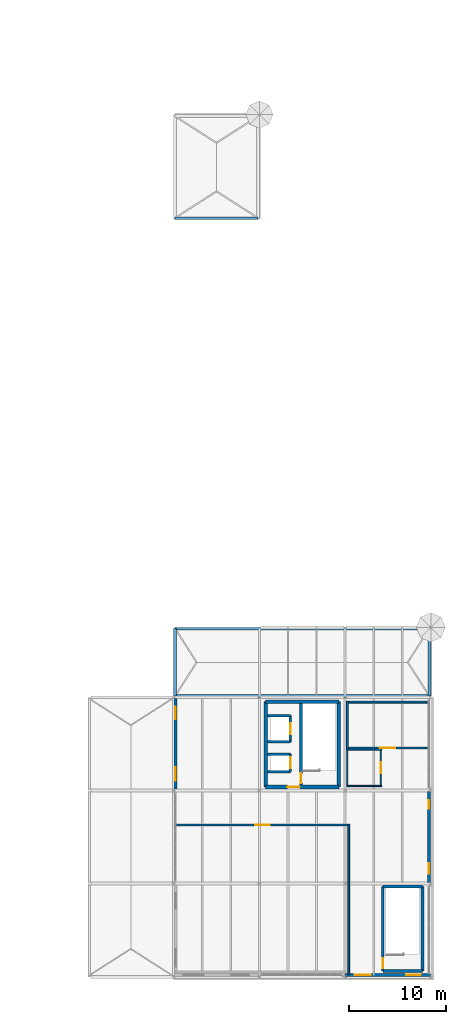
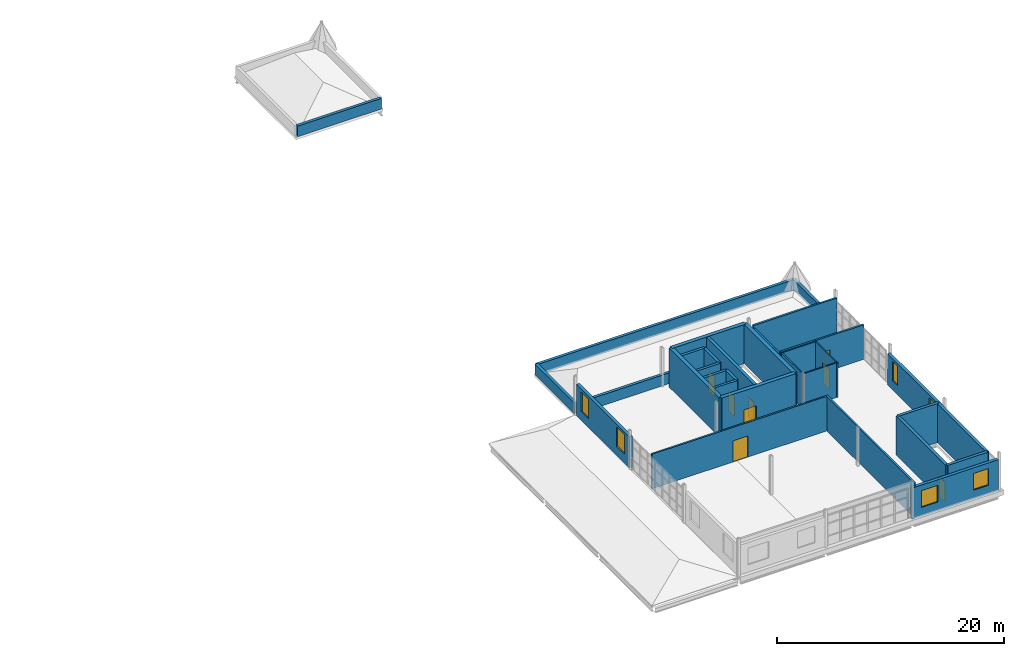
# One storey, part 24 of 28: 32 walls, 8 doors, 6 windows, 14 openings.
"""IFC4 building model written with IfcOpenShell, lengths in metres."""

import ifcopenshell
import ifcopenshell.guid

model = None  # the IFC model being written
_history = None  # IfcOwnerHistory: only IFC2X3 demands one
_inside = {}  # id of a spatial element -> (the spatial element, [elements in it])
_under = {}  # id of a project, library or spatial element -> (it, [spatial elements below it])
_declared = {}  # id of a project -> (the project, [libraries it declares])
_typed = {}  # id of a type object -> (the type object, [elements of that type])
_made_of = {}  # id of a material, layer set ... -> (it, [elements and type objects made of it])


def new_model(schema):
    """Start an empty IFC model of exactly this schema.

    Asked for "IFC4X3", IfcOpenShell would pick the latest addendum, in which some entities
    have other attributes; the version numbers below select the first issue.
    IFC2X3 requires an IfcOwnerHistory on every rooted entity: one is made here for all.
    """
    global model, _history
    if schema == "IFC4X3":
        model = ifcopenshell.file(schema_version=(4, 3, 0, 0))
    else:
        model = ifcopenshell.file(schema=schema)
    _inside.clear()
    _under.clear()
    _declared.clear()
    _typed.clear()
    _made_of.clear()
    _history = None
    if model.schema == "IFC2X3":
        org = make("IfcOrganization", Name="unknown")
        user = make(
            "IfcPersonAndOrganization",
            ThePerson=make("IfcPerson", FamilyName="unknown"),
            TheOrganization=org,
        )
        app = make(
            "IfcApplication",
            ApplicationDeveloper=org,
            Version="unknown",
            ApplicationFullName="unknown",
            ApplicationIdentifier="unknown",
        )
        _history = make(
            "IfcOwnerHistory",
            OwningUser=user,
            OwningApplication=app,
            ChangeAction="ADDED",
            CreationDate=0,
        )
    return model


def make(cls, **values):
    """One entity of the class cls with the attributes given. An attribute that is None is left unset."""
    return model.create_entity(
        cls, **{name: value for name, value in values.items() if value is not None}
    )


def rooted(cls, **values):
    """An entity with a GlobalId (a new one), such as an element, a storey or a relation."""
    return make(cls, GlobalId=ifcopenshell.guid.new(), OwnerHistory=_history, **values)


def si_unit(unit_type, name, prefix=None):
    """IfcSIUnit, for example si_unit("LENGTHUNIT", "METRE", prefix="MILLI")."""
    return make("IfcSIUnit", UnitType=unit_type, Prefix=prefix, Name=name)


def assignment(units):
    """IfcUnitAssignment: the units of a project."""
    return None if units is None else make("IfcUnitAssignment", Units=units)


def point(xyz):
    """IfcCartesianPoint."""
    return None if xyz is None else make("IfcCartesianPoint", Coordinates=xyz)


def direction(xyz):
    """IfcDirection."""
    return None if xyz is None else make("IfcDirection", DirectionRatios=xyz)


def frame(location, z_axis=None, x_axis=None):
    """IfcAxis2Placement3D, a coordinate frame: its origin and axes. An axis left out is left unset."""
    return make(
        "IfcAxis2Placement3D",
        Location=point(location),
        Axis=direction(z_axis),
        RefDirection=direction(x_axis),
    )


def frame_2d(location, x_axis=None):
    """IfcAxis2Placement2D, a coordinate frame in the plane: its origin and x axis."""
    return make(
        "IfcAxis2Placement2D", Location=point(location), RefDirection=direction(x_axis)
    )


def origin():
    """The frame at (0, 0, 0) with its axes left unset."""
    return frame((0.0, 0.0, 0.0))


def place(relative_to, where):
    """IfcLocalPlacement: puts the frame where relative to a parent placement (None: the world)."""
    return make(
        "IfcLocalPlacement", PlacementRelTo=relative_to, RelativePlacement=where
    )


def context(
    kind, dimensions, precision=None, world=None, true_north=None, identifier=None
):
    """IfcGeometricRepresentationContext, for example the 3D "Model" context."""
    return make(
        "IfcGeometricRepresentationContext",
        ContextIdentifier=identifier,
        ContextType=kind,
        CoordinateSpaceDimension=dimensions,
        Precision=precision,
        WorldCoordinateSystem=world,
        TrueNorth=true_north,
    )


def subcontext(parent, identifier, kind, view, scale=None):
    """IfcGeometricRepresentationSubContext, for example "Body" below "Model"."""
    return make(
        "IfcGeometricRepresentationSubContext",
        ContextIdentifier=identifier,
        ContextType=kind,
        ParentContext=parent,
        TargetScale=scale,
        TargetView=view,
    )


def project(units=None, contexts=None):
    """IfcProject with its units and contexts."""
    return rooted(
        "IfcProject",
        Name="project",
        RepresentationContexts=contexts,
        UnitsInContext=assignment(units),
    )


def spatial(cls, under=None, at=None, **own):
    """A site, building, storey or space (cls), placed at a placement, below another one or the project."""
    s = rooted(cls, ObjectPlacement=at, **own)
    if under is not None:
        _under.setdefault(under.id(), (under, []))[1].append(s)
    return s


def profile(cls, at=None, kind="AREA", **sizes):
    """A parametric profile (cls). Its sizes go by their IFC names, for example OverallWidth=200.0."""
    return make(cls, ProfileType=kind, Position=at, **sizes)


def rectangle(**sizes):
    """IfcRectangleProfileDef."""
    return profile("IfcRectangleProfileDef", **sizes)


def extrude(swept, where, along, depth):
    """IfcExtrudedAreaSolid: the profile swept, set in the frame where, extruded along a direction by depth."""
    return make(
        "IfcExtrudedAreaSolid",
        SweptArea=swept,
        Position=where,
        ExtrudedDirection=direction(along),
        Depth=depth,
    )


def shape(context_of_items, identifier, shape_type, items):
    """IfcShapeRepresentation: the items that make up one representation, for example the "Body"."""
    return make(
        "IfcShapeRepresentation",
        ContextOfItems=context_of_items,
        RepresentationIdentifier=identifier,
        RepresentationType=shape_type,
        Items=items,
    )


def material(Name=None, Category=None):
    """IfcMaterial."""
    return make("IfcMaterial", Name=Name, Category=Category)


def layer(
    of_material, thickness, ventilated=None, Name=None, Category=None, Priority=None
):
    """IfcMaterialLayer: one layer of a wall or slab, of a material (None: an air gap)."""
    return make(
        "IfcMaterialLayer",
        Material=of_material,
        LayerThickness=thickness,
        IsVentilated=ventilated,
        Name=Name,
        Category=Category,
        Priority=Priority,
    )


def layer_set(layers, Name=None):
    """IfcMaterialLayerSet."""
    return make("IfcMaterialLayerSet", MaterialLayers=layers, LayerSetName=Name)


def made_of(thing, what):
    """Note that an element or type object is made of a material, layer set ...; save() writes the relation."""
    if what is not None:
        _made_of.setdefault(what.id(), (what, []))[1].append(thing)
    return thing


def type_object(cls, material=None, **own):
    """A type object (cls), such as IfcWallType, which elements share."""
    return made_of(rooted(cls, **own), material)


def element(
    cls,
    number,
    at=None,
    inside=None,
    cuts=None,
    type_object=None,
    material=None,
    context=None,
    identifier="Body",
    shape_type=None,
    held_by="IfcProductDefinitionShape",
    body=None,
    shapes=None,
    **own,
):
    """One element of the class cls, such as IfcWall. Its Tag is "e" and its number.

    at: its placement. inside: the storey or other place that contains it. cuts: it is an
    opening in that element (IfcRelVoidsElement). A single representation is given by context,
    identifier, shape_type and body (its items); several are given by shapes. held_by: the class
    of the entity that holds the representations. save() writes the other relations.
    """
    e = rooted(cls, Tag="e%d" % number, ObjectPlacement=at, **own)
    if body is not None:
        shapes = [shape(context, identifier, shape_type, body)]
    if shapes is not None:
        e.Representation = make(held_by, Representations=shapes)
    if inside is not None:
        _inside.setdefault(inside.id(), (inside, []))[1].append(e)
    if cuts is not None:
        rooted(
            "IfcRelVoidsElement", RelatingBuildingElement=cuts, RelatedOpeningElement=e
        )
    if type_object is not None:
        _typed.setdefault(type_object.id(), (type_object, []))[1].append(e)
    return made_of(e, material)


def fill(opening, filler):
    """IfcRelFillsElement: the door or window that sits in an opening."""
    return rooted(
        "IfcRelFillsElement",
        RelatingOpeningElement=opening,
        RelatedBuildingElement=filler,
    )


def aggregate(whole, parts):
    """IfcRelAggregates: a whole, such as a stair, and the parts it consists of."""
    return rooted("IfcRelAggregates", RelatingObject=whole, RelatedObjects=parts)


def save(model, path):
    """Write the relations noted so far, then the file.

    IfcRelAggregates (storeys below a building ...), IfcRelContainedInSpatialStructure (elements
    in a storey), IfcRelDefinesByType, IfcRelAssociatesMaterial and IfcRelDeclares: one each for
    every whole, place, type object, material and project.
    """
    for whole, parts in _under.values():
        aggregate(whole, parts)
    for where, things in _inside.values():
        rooted(
            "IfcRelContainedInSpatialStructure",
            RelatedElements=things,
            RelatingStructure=where,
        )
    for kind, things in _typed.values():
        rooted("IfcRelDefinesByType", RelatedObjects=things, RelatingType=kind)
    for what, things in _made_of.values():
        rooted("IfcRelAssociatesMaterial", RelatedObjects=things, RelatingMaterial=what)
    for by, libraries in _declared.values():
        rooted("IfcRelDeclares", RelatingContext=by, RelatedDefinitions=libraries)
    model.write(path)


model = new_model("IFC4")

# Units and contexts
model_context = context("Model", 3, precision=1e-05, world=origin(), true_north=direction((0.0, 1.0)))
body_context = subcontext(model_context, "Body", "Model", "MODEL_VIEW")
ifc_project = project(units=[si_unit("LENGTHUNIT", "METRE"), si_unit("AREAUNIT", "SQUARE_METRE"), si_unit("VOLUMEUNIT", "CUBIC_METRE"), si_unit("PLANEANGLEUNIT", "RADIAN"), si_unit("MASSUNIT", "GRAM", prefix="KILO")], contexts=[model_context])

# Site, building, storey
site_placement = place(None, origin())
site = spatial("IfcSite", under=ifc_project, at=site_placement, CompositionType="ELEMENT")
building_placement = place(site_placement, origin())
building = spatial("IfcBuilding", under=site, at=building_placement, Name="Yeouljin Market Hall", CompositionType="ELEMENT")
storey_placement = place(building_placement, frame((0.0, 0.0, 15.0)))
storey = spatial("IfcBuildingStorey", under=building, at=storey_placement, Name="L03", CompositionType="ELEMENT", Elevation=15.0)

# Wall, opening, door
ifc_material_1 = material(Name="Gypsum Board Acoustic Partition")
ifc_layer_1 = layer(ifc_material_1, 0.169921875)
ifc_layer_set_1 = layer_set([ifc_layer_1], Name="Gypsum Board Acoustic Partition")
wall_type_1 = type_object("IfcWallType", Name="Part_Acoustic_170", PredefinedType="PARTITIONING", material=ifc_layer_set_1)
wall_1_placement = place(storey_placement, frame((168.030029296875, 15.64990234375, 0.0), z_axis=(0.0, 0.0, 1.0), x_axis=(-1.0, 0.0, 0.0)))
wall_1 = element("IfcWall", 1, at=wall_1_placement, inside=storey, type_object=wall_type_1, Name="Interior partition PART-L03-0167", PredefinedType="PARTITIONING", context=body_context, shape_type="SweptSolid", body=[
    extrude(rectangle(XDim=17.929931640625, YDim=0.169921875, at=frame_2d((8.96484375, 0.0))), origin(), (0.0, 0.0, 1.0), 3.719970703125),
])
opening_1_placement = place(wall_1_placement, frame((8.205078125, 0.0, 0.0)))
opening_1 = element("IfcOpeningElement", 2, at=opening_1_placement, cuts=wall_1, Name="Opening D-L03-052", PredefinedType="OPENING", context=body_context, shape_type="SweptSolid", body=[
    extrude(rectangle(XDim=1.52001953125, YDim=2.280029296875, at=frame_2d((0.760009765625, 1.14013671875))), frame((0.0, 0.094970703125, 0.0), z_axis=(0.0, -1.0, 0.0), x_axis=(1.0, 0.0, 0.0)), (0.0, 0.0, 1.0), 0.18994140625),
])
ifc_material_2 = material(Name="Acoustic Timber Veneer", Category="wood")
door_type_1 = type_object("IfcDoorType", Name="DT-ID152H", OperationType="NOTDEFINED", PredefinedType="DOOR", material=ifc_material_2)
door_1_placement = place(opening_1_placement, origin())
door_1 = element("IfcDoor", 3, at=door_1_placement, inside=storey, type_object=door_type_1, Name="Interior door D-L03-052 (Guild Tasting Salon)", OperationType="SINGLE_SWING_RIGHT", OverallHeight=2.280029296875, OverallWidth=1.52001953125, PredefinedType="DOOR", context=body_context, shape_type="SweptSolid", body=[
    extrude(rectangle(XDim=1.52001953125, YDim=2.280029296875, at=frame_2d((0.760009765625, 1.14013671875))), frame((0.0, 0.02490234375, 0.0), z_axis=(0.0, -1.0, 0.0), x_axis=(1.0, 0.0, 0.0)), (0.0, 0.0, 1.0), 0.050048828125),
])
fill(opening_1, door_1)

# Wall
wall_2_placement = place(storey_placement, frame((167.949951171875, 0.199951171875, 0.0), z_axis=(0.0, 0.0, 1.0), x_axis=(0.0, 1.0, 0.0)))
element("IfcWall", 4, at=wall_2_placement, inside=storey, type_object=wall_type_1, Name="Interior partition PART-L03-0168", PredefinedType="PARTITIONING", context=body_context, shape_type="SweptSolid", body=[
    extrude(rectangle(XDim=15.530029296875, YDim=0.169921875, at=frame_2d((7.76513671875, 0.0))), origin(), (0.0, 0.0, 1.0), 3.719970703125),
])

# Wall, opening, door
ifc_material_3 = material(Name="Ceramic-Faced Acoustic Partition")
ifc_layer_2 = layer(ifc_material_3, 0.18994140625)
ifc_layer_set_2 = layer_set([ifc_layer_2], Name="Ceramic-Faced Acoustic Partition")
wall_type_2 = type_object("IfcWallType", Name="Part_KitchenTile_190", PredefinedType="PARTITIONING", material=ifc_layer_set_2)
wall_3_placement = place(storey_placement, frame((167.719970703125, 23.56005859375, 0.0), z_axis=(0.0, 0.0, 1.0), x_axis=(1.0, 0.0, 0.0)))
wall_3 = element("IfcWall", 5, at=wall_3_placement, inside=storey, type_object=wall_type_2, Name="Interior partition PART-L03-0170", PredefinedType="PARTITIONING", context=body_context, shape_type="SweptSolid", body=[
    extrude(rectangle(XDim=8.47998046875, YDim=0.18994140625, at=frame_2d((4.239990234375, 0.0))), origin(), (0.0, 0.0, 1.0), 3.719970703125),
])
opening_2_placement = place(wall_3_placement, frame((3.43994140625, 0.0, 0.0)))
opening_2 = element("IfcOpeningElement", 6, at=opening_2_placement, cuts=wall_3, Name="Opening D-L03-053", PredefinedType="OPENING", context=body_context, shape_type="SweptSolid", body=[
    extrude(rectangle(XDim=1.60009765625, YDim=2.199951171875, at=frame_2d((0.800048828125, 1.10009765625))), frame((0.0, 0.10498046875, 0.0), z_axis=(0.0, -1.0, 0.0), x_axis=(1.0, 0.0, 0.0)), (0.0, 0.0, 1.0), 0.2099609375),
])
ifc_material_4 = material(Name="Painted Fire-Rated Steel", Category="steel")
door_type_2 = type_object("IfcDoorType", Name="DT-FD160", OperationType="NOTDEFINED", PredefinedType="DOOR", material=ifc_material_4)
door_2_placement = place(opening_2_placement, origin())
door_2 = element("IfcDoor", 7, at=door_2_placement, inside=storey, type_object=door_type_2, Name="Interior door D-L03-053 (Tasting Salon Service Kitchen)", OperationType="SINGLE_SWING_LEFT", OverallHeight=2.199951171875, OverallWidth=1.60009765625, PredefinedType="DOOR", context=body_context, shape_type="SweptSolid", body=[
    extrude(rectangle(XDim=1.60009765625, YDim=2.199951171875, at=frame_2d((0.800048828125, 1.10009765625))), frame((0.0, 0.02490234375, 0.0), z_axis=(0.0, -1.0, 0.0), x_axis=(1.0, 0.0, 0.0)), (0.0, 0.0, 1.0), 0.050048828125),
])
fill(opening_2, door_2)

# Walls
wall_4_placement = place(storey_placement, frame((167.800048828125, 28.3798828125, 0.0), z_axis=(0.0, 0.0, 1.0), x_axis=(0.0, -1.0, 0.0)))
element("IfcWall", 8, at=wall_4_placement, inside=storey, type_object=wall_type_2, Name="Interior partition PART-L03-0171", PredefinedType="PARTITIONING", context=body_context, shape_type="SweptSolid", body=[
    extrude(rectangle(XDim=4.97998046875, YDim=0.18994140625, at=frame_2d((2.489990234375, 0.0))), origin(), (0.0, 0.0, 1.0), 3.39990234375),
])
wall_5_placement = place(storey_placement, frame((176.199951171875, 28.300048828125, 0.0), z_axis=(0.0, 0.0, 1.0), x_axis=(-1.0, 0.0, 0.0)))
element("IfcWall", 9, at=wall_5_placement, inside=storey, type_object=wall_type_2, Name="Interior partition PART-L03-0172", PredefinedType="PARTITIONING", context=body_context, shape_type="SweptSolid", body=[
    extrude(rectangle(XDim=8.47998046875, YDim=0.18994140625, at=frame_2d((4.239990234375, 0.0))), origin(), (0.0, 0.0, 1.0), 3.719970703125),
])

# Wall, opening, door
ifc_material_5 = material(Name="Moisture-Resistant Gypsum Partition")
ifc_layer_3 = layer(ifc_material_5, 0.1298828125)
ifc_layer_set_3 = layer_set([ifc_layer_3], Name="Moisture-Resistant Gypsum Partition")
wall_type_3 = type_object("IfcWallType", Name="Part_Sanitary_130", PredefinedType="PARTITIONING", material=ifc_layer_set_3)
wall_6_placement = place(storey_placement, frame((171.25, 19.570068359375, 0.0), z_axis=(0.0, 0.0, 1.0), x_axis=(0.0, 1.0, 0.0)))
wall_6 = element("IfcWall", 10, at=wall_6_placement, inside=storey, type_object=wall_type_3, Name="Interior partition PART-L03-0152", PredefinedType="PARTITIONING", context=body_context, shape_type="SweptSolid", body=[
    extrude(rectangle(XDim=3.909912109375, YDim=0.1298828125, at=frame_2d((1.955078125, 0.0))), origin(), (0.0, 0.0, 1.0), 3.719970703125),
])
opening_3_placement = place(wall_6_placement, frame((1.385009765625, 0.0, 0.0)))
opening_3 = element("IfcOpeningElement", 11, at=opening_3_placement, cuts=wall_6, Name="Opening D-L03-047", PredefinedType="OPENING", context=body_context, shape_type="SweptSolid", body=[
    extrude(rectangle(XDim=1.139892578125, YDim=2.219970703125, at=frame_2d((0.56982421875, 1.10986328125))), frame((0.0, 0.074951171875, 0.0), z_axis=(0.0, -1.0, 0.0), x_axis=(1.0, 0.0, 0.0)), (0.0, 0.0, 1.0), 0.14990234375),
])
ifc_material_6 = material(Name="Acoustic Timber Veneer", Category="wood")
door_type_3 = type_object("IfcDoorType", Name="DT-ID114H", OperationType="NOTDEFINED", PredefinedType="DOOR", material=ifc_material_6)
door_3_placement = place(opening_3_placement, origin())
door_3 = element("IfcDoor", 12, at=door_3_placement, inside=storey, type_object=door_type_3, Name="Interior door D-L03-047 (East Accessible WC)", OperationType="SINGLE_SWING_LEFT", OverallHeight=2.219970703125, OverallWidth=1.139892578125, PredefinedType="DOOR", context=body_context, shape_type="SweptSolid", body=[
    extrude(rectangle(XDim=1.139892578125, YDim=2.219970703125, at=frame_2d((0.56982421875, 1.10986328125))), frame((0.0, 0.02490234375, 0.0), z_axis=(0.0, -1.0, 0.0), x_axis=(1.0, 0.0, 0.0)), (0.0, 0.0, 1.0), 0.050048828125),
])
fill(opening_3, door_3)

# Walls
for number, where, z_axis, x_axis, name in (
    (13, (167.719970703125, 19.64990234375, 0.0), (0.0, 0.0, 1.0), (1.0, 0.0, 0.0), "Interior partition PART-L03-0153"),
    (14, (171.330078125, 23.39990234375, 0.0), (0.0, 0.0, 1.0), (-1.0, 0.0, 0.0), "Interior partition PART-L03-0154"),
):
    element("IfcWall", number, at=place(storey_placement, frame(where, z_axis=z_axis, x_axis=x_axis)), inside=storey, type_object=wall_type_3, Name=name, PredefinedType="PARTITIONING", context=body_context, shape_type="SweptSolid", body=[
        extrude(rectangle(XDim=3.610107421875, YDim=0.1298828125, at=frame_2d((1.80517578125, 0.0))), origin(), (0.0, 0.0, 1.0), 3.719970703125),
    ])
wall_7_placement = place(storey_placement, frame((167.800048828125, 23.47998046875, 0.0), z_axis=(0.0, 0.0, 1.0), x_axis=(0.0, -1.0, 0.0)))
element("IfcWall", 15, at=wall_7_placement, inside=storey, type_object=wall_type_3, Name="Interior partition PART-L03-0155", PredefinedType="PARTITIONING", context=body_context, shape_type="SweptSolid", body=[
    extrude(rectangle(XDim=3.909912109375, YDim=0.1298828125, at=frame_2d((1.955078125, 0.0))), origin(), (0.0, 0.0, 1.0), 3.719970703125),
])

# Wall, opening, door
ifc_material_7 = material(Name="Concrete C35/45", Category="concrete")
ifc_layer_4 = layer(ifc_material_7, 0.260009765625)
ifc_layer_set_4 = layer_set([ifc_layer_4], Name="Concrete C35/45")
wall_type_4 = type_object("IfcWallType", Name="Wall_Compartment_260", PredefinedType="SHEAR", material=ifc_layer_set_4)
wall_8_placement = place(storey_placement, frame((161.945068359375, 21.14990234375, 0.0), z_axis=(0.0, 0.0, 1.0), x_axis=(0.0, 1.0, 0.0)))
wall_8 = element("IfcWall", 16, at=wall_8_placement, inside=storey, type_object=wall_type_4, Name="Lift LP-03 hoistway front wall (L03)", PredefinedType="SHEAR", context=body_context, shape_type="SweptSolid", body=[
    extrude(rectangle(XDim=1.800048828125, YDim=0.260009765625, at=frame_2d((0.89990234375, 0.0))), origin(), (0.0, 0.0, 1.0), 4.199951171875),
])
opening_4_placement = place(wall_8_placement, frame((0.35009765625, 0.0, 0.0)))
opening_4 = element("IfcOpeningElement", 17, at=opening_4_placement, cuts=wall_8, Name="Opening LD-LP-03-L03", PredefinedType="OPENING", context=body_context, shape_type="SweptSolid", body=[
    extrude(rectangle(XDim=1.10009765625, YDim=2.14990234375, at=frame_2d((0.550048828125, 1.074951171875))), frame((0.0, 0.139892578125, 0.0), z_axis=(0.0, -1.0, 0.0), x_axis=(1.0, 0.0, 0.0)), (0.0, 0.0, 1.0), 0.280029296875),
])
ifc_material_8 = material(Name="Brushed Stainless Steel", Category="steel")
door_type_4 = type_object("IfcDoorType", Name="LD-110", OperationType="SLIDING_TO_LEFT", PredefinedType="DOOR", material=ifc_material_8)
door_4_placement = place(opening_4_placement, origin())
door_4 = element("IfcDoor", 18, at=door_4_placement, inside=storey, type_object=door_type_4, Name="Lift landing sliding door LD-LP-03-L03", OperationType="SLIDING_TO_LEFT", OverallHeight=2.14990234375, OverallWidth=1.10009765625, PredefinedType="DOOR", context=body_context, shape_type="SweptSolid", body=[
    extrude(rectangle(XDim=1.10009765625, YDim=2.14990234375, at=frame_2d((0.550048828125, 1.074951171875))), frame((0.0, 0.02490234375, 0.0), z_axis=(0.0, -1.0, 0.0), x_axis=(1.0, 0.0, 0.0)), (0.0, 0.0, 1.0), 0.050048828125),
])
fill(opening_4, door_4)

# Walls
for number, where, z_axis, x_axis, name in (
    (19, (159.590087890625, 21.14990234375, 0.0), (0.0, 0.0, 1.0), (1.0, 0.0, 0.0), "Lift LP-03 shaft cheek wall S (L03)"),
    (20, (159.590087890625, 22.949951171875, 0.0), (0.0, 0.0, 1.0), (1.0, 0.0, 0.0), "Lift LP-03 shaft cheek wall N (L03)"),
):
    element("IfcWall", number, at=place(storey_placement, frame(where, z_axis=z_axis, x_axis=x_axis)), inside=storey, type_object=wall_type_4, Name=name, PredefinedType="SHEAR", context=body_context, shape_type="SweptSolid", body=[
        extrude(rectangle(XDim=2.35498046875, YDim=0.260009765625, at=frame_2d((1.177490234375, 0.0))), origin(), (0.0, 0.0, 1.0), 4.199951171875),
    ])

# Wall, opening, door
wall_9_placement = place(storey_placement, frame((161.945068359375, 24.199951171875, 0.0), z_axis=(0.0, 0.0, 1.0), x_axis=(0.0, 1.0, 0.0)))
wall_9 = element("IfcWall", 21, at=wall_9_placement, inside=storey, type_object=wall_type_4, Name="Lift LS-02 hoistway front wall (L03)", PredefinedType="SHEAR", context=body_context, shape_type="SweptSolid", body=[
    extrude(rectangle(XDim=2.699951171875, YDim=0.260009765625, at=frame_2d((1.35009765625, 0.0))), origin(), (0.0, 0.0, 1.0), 4.199951171875),
])
opening_5_placement = place(wall_9_placement, frame((0.800048828125, 0.0, 0.0)))
opening_5 = element("IfcOpeningElement", 22, at=opening_5_placement, cuts=wall_9, Name="Opening LD-LS-02-L03", PredefinedType="OPENING", context=body_context, shape_type="SweptSolid", body=[
    extrude(rectangle(XDim=1.10009765625, YDim=2.14990234375, at=frame_2d((0.550048828125, 1.074951171875))), frame((0.0, 0.139892578125, 0.0), z_axis=(0.0, -1.0, 0.0), x_axis=(1.0, 0.0, 0.0)), (0.0, 0.0, 1.0), 0.280029296875),
])
door_5_placement = place(opening_5_placement, origin())
door_5 = element("IfcDoor", 23, at=door_5_placement, inside=storey, type_object=door_type_4, Name="Lift landing sliding door LD-LS-02-L03", OperationType="SLIDING_TO_RIGHT", OverallHeight=2.14990234375, OverallWidth=1.10009765625, PredefinedType="DOOR", context=body_context, shape_type="SweptSolid", body=[
    extrude(rectangle(XDim=1.10009765625, YDim=2.14990234375, at=frame_2d((0.550048828125, 1.074951171875))), frame((0.0, 0.02490234375, 0.0), z_axis=(0.0, -1.0, 0.0), x_axis=(1.0, 0.0, 0.0)), (0.0, 0.0, 1.0), 0.050048828125),
])
fill(opening_5, door_5)

# Walls
for number, where, z_axis, x_axis, name in (
    (24, (159.590087890625, 24.199951171875, 0.0), (0.0, 0.0, 1.0), (1.0, 0.0, 0.0), "Lift LS-02 shaft cheek wall S (L03)"),
    (25, (159.590087890625, 26.89990234375, 0.0), (0.0, 0.0, 1.0), (1.0, 0.0, 0.0), "Lift LS-02 shaft cheek wall N (L03)"),
):
    element("IfcWall", number, at=place(storey_placement, frame(where, z_axis=z_axis, x_axis=x_axis)), inside=storey, type_object=wall_type_4, Name=name, PredefinedType="SHEAR", context=body_context, shape_type="SweptSolid", body=[
        extrude(rectangle(XDim=2.35498046875, YDim=0.260009765625, at=frame_2d((1.177490234375, 0.0))), origin(), (0.0, 0.0, 1.0), 4.199951171875),
    ])

# Wall, opening, door
ifc_material_9 = material(Name="Concrete C35/45", Category="concrete")
ifc_layer_5 = layer(ifc_material_9, 0.3798828125)
ifc_layer_set_5 = layer_set([ifc_layer_5], Name="Concrete C35/45")
wall_type_5 = type_object("IfcWallType", Name="Wall_CoreShear_380", PredefinedType="SHEAR", material=ifc_layer_set_5)
wall_10_placement = place(storey_placement, frame((159.389892578125, 19.550048828125, 0.0), z_axis=(0.0, 0.0, 1.0), x_axis=(1.0, 0.0, 0.0)))
wall_10 = element("IfcWall", 26, at=wall_10_placement, inside=storey, type_object=wall_type_5, Name="Core C3 south shear wall (L03)", PredefinedType="SHEAR", context=body_context, shape_type="SweptSolid", body=[
    extrude(rectangle(XDim=7.530029296875, YDim=0.3798828125, at=frame_2d((3.76513671875, 0.0))), origin(), (0.0, 0.0, 1.0), 4.199951171875),
])
opening_6_placement = place(wall_10_placement, frame((2.22998046875, 0.0, 0.0)))
opening_6 = element("IfcOpeningElement", 27, at=opening_6_placement, cuts=wall_10, Name="Opening FD-C3-L03-01", PredefinedType="OPENING", context=body_context, shape_type="SweptSolid", body=[
    extrude(rectangle(XDim=1.280029296875, YDim=2.14990234375, at=frame_2d((0.64013671875, 1.074951171875))), frame((0.0, 0.199951171875, 0.0), z_axis=(0.0, -1.0, 0.0), x_axis=(1.0, 0.0, 0.0)), (0.0, 0.0, 1.0), 0.39990234375),
])
ifc_material_10 = material(Name="Painted Fire-Rated Steel", Category="steel")
door_type_5 = type_object("IfcDoorType", Name="DT-FD128", OperationType="NOTDEFINED", PredefinedType="DOOR", material=ifc_material_10)
door_6_placement = place(opening_6_placement, origin())
door_6 = element("IfcDoor", 28, at=door_6_placement, inside=storey, type_object=door_type_5, Name="Core C3 lobby fire door (L03)", OperationType="SINGLE_SWING_LEFT", OverallHeight=2.14990234375, OverallWidth=1.280029296875, PredefinedType="DOOR", context=body_context, shape_type="SweptSolid", body=[
    extrude(rectangle(XDim=1.280029296875, YDim=2.14990234375, at=frame_2d((0.64013671875, 1.074951171875))), frame((0.0, 0.02490234375, 0.0), z_axis=(0.0, -1.0, 0.0), x_axis=(1.0, 0.0, 0.0)), (0.0, 0.0, 1.0), 0.050048828125),
])
fill(opening_6, door_6)

# Walls
wall_11_placement = place(storey_placement, frame((166.919921875, 28.35009765625, 0.0), z_axis=(0.0, 0.0, 1.0), x_axis=(-1.0, 0.0, 0.0)))
element("IfcWall", 29, at=wall_11_placement, inside=storey, type_object=wall_type_5, Name="Core C3 north shear wall (L03)", PredefinedType="SHEAR", context=body_context, shape_type="SweptSolid", body=[
    extrude(rectangle(XDim=7.530029296875, YDim=0.3798828125, at=frame_2d((3.76513671875, 0.0))), origin(), (0.0, 0.0, 1.0), 4.199951171875),
])
for number, where, z_axis, x_axis, name in (
    (30, (159.389892578125, 28.35009765625, 0.0), (0.0, 0.0, 1.0), (0.0, -1.0, 0.0), "Core C3 west shear wall (L03)"),
    (31, (166.919921875, 19.550048828125, 0.0), (0.0, 0.0, 1.0), (0.0, 1.0, 0.0), "Core C3 east shear wall (L03)"),
):
    element("IfcWall", number, at=place(storey_placement, frame(where, z_axis=z_axis, x_axis=x_axis)), inside=storey, type_object=wall_type_5, Name=name, PredefinedType="SHEAR", context=body_context, shape_type="SweptSolid", body=[
        extrude(rectangle(XDim=8.800048828125, YDim=0.3798828125, at=frame_2d((4.39990234375, 0.0))), origin(), (0.0, 0.0, 1.0), 4.199951171875),
    ])

# Wall, openings, windows
ifc_material_11 = material(Name="Clinker Brick Masonry F2-S2", Category="masonry")
ifc_layer_6 = layer(ifc_material_11, 0.31005859375)
ifc_layer_set_6 = layer_set([ifc_layer_6], Name="Clinker Brick Masonry F2-S2")
wall_type_6 = type_object("IfcWallType", Name="Wall_Ext_ClinkerSawtooth_310", PredefinedType="SOLIDWALL", material=ifc_layer_set_6)
wall_12_placement = place(storey_placement, frame((176.387939453125, 0.199951171875, 0.0), z_axis=(0.0, 0.0, 1.0), x_axis=(-1.0, 0.0, 0.0)))
wall_12 = element("IfcWall", 32, at=wall_12_placement, inside=storey, type_object=wall_type_6, Name="Exterior wall WE-L03-B10", PredefinedType="SOLIDWALL", context=body_context, shape_type="SweptSolid", body=[
    extrude(rectangle(XDim=8.805908203125, YDim=0.31005859375, at=frame_2d((4.40283203125, 0.0))), origin(), (0.0, 0.0, 1.0), 3.35009765625),
])
opening_7_placement = place(wall_12_placement, frame((1.0380859375, 0.0, 0.949951171875)))
opening_7 = element("IfcOpeningElement", 33, at=opening_7_placement, cuts=wall_12, Name="Opening WN-05", PredefinedType="OPENING", context=body_context, shape_type="SweptSolid", body=[
    extrude(rectangle(XDim=1.5, YDim=1.800048828125, at=frame_2d((0.75, 0.89990234375))), frame((0.0, 0.1650390625, 0.0), z_axis=(0.0, -1.0, 0.0), x_axis=(1.0, 0.0, 0.0)), (0.0, 0.0, 1.0), 0.330078125),
])
opening_8_placement = place(wall_12_placement, frame((6.18798828125, 0.0, 0.949951171875)))
opening_8 = element("IfcOpeningElement", 34, at=opening_8_placement, cuts=wall_12, Name="Opening WN-06", PredefinedType="OPENING", context=body_context, shape_type="SweptSolid", body=[
    extrude(rectangle(XDim=1.64990234375, YDim=1.800048828125, at=frame_2d((0.824951171875, 0.89990234375))), frame((0.0, 0.1650390625, 0.0), z_axis=(0.0, -1.0, 0.0), x_axis=(1.0, 0.0, 0.0)), (0.0, 0.0, 1.0), 0.330078125),
])
ifc_material_12 = material(Name="Low-E Insulated Glass", Category="glass")
window_type_1 = type_object("IfcWindowType", Name="Win_Ladder_1500x1800", PartitioningType="DOUBLE_PANEL_HORIZONTAL", PredefinedType="WINDOW", material=ifc_material_12)
window_1_placement = place(opening_7_placement, origin())
window_1 = element("IfcWindow", 35, at=window_1_placement, inside=storey, type_object=window_type_1, Name="Exterior window WIN-L03-B10A", OverallHeight=1.800048828125, OverallWidth=1.5, PartitioningType="SINGLE_PANEL", PredefinedType="WINDOW", context=body_context, shape_type="SweptSolid", body=[
    extrude(rectangle(XDim=1.5, YDim=1.800048828125, at=frame_2d((0.75, 0.89990234375))), frame((0.0, 0.030029296875, 0.0), z_axis=(0.0, -1.0, 0.0), x_axis=(1.0, 0.0, 0.0)), (0.0, 0.0, 1.0), 0.06005859375),
])
fill(opening_7, window_1)
ifc_material_13 = material(Name="Low-E Insulated Glass", Category="glass")
window_type_2 = type_object("IfcWindowType", Name="Win_Ladder_1650x1800", PartitioningType="DOUBLE_PANEL_HORIZONTAL", PredefinedType="WINDOW", material=ifc_material_13)
window_2_placement = place(opening_8_placement, origin())
window_2 = element("IfcWindow", 36, at=window_2_placement, inside=storey, type_object=window_type_2, Name="Exterior window WIN-L03-B10B", OverallHeight=1.800048828125, OverallWidth=1.64990234375, PartitioningType="SINGLE_PANEL", PredefinedType="WINDOW", context=body_context, shape_type="SweptSolid", body=[
    extrude(rectangle(XDim=1.64990234375, YDim=1.800048828125, at=frame_2d((0.824951171875, 0.89990234375))), frame((0.0, 0.030029296875, 0.0), z_axis=(0.0, -1.0, 0.0), x_axis=(1.0, 0.0, 0.0)), (0.0, 0.0, 1.0), 0.06005859375),
])
fill(opening_8, window_2)

wall_13_placement = place(storey_placement, frame((176.199951171875, 19.068115234375, 0.0), z_axis=(0.0, 0.0, 1.0), x_axis=(0.0, -1.0, 0.0)))
wall_13 = element("IfcWall", 37, at=wall_13_placement, inside=storey, type_object=wall_type_6, Name="Exterior wall WE-L03-B14", PredefinedType="SOLIDWALL", context=body_context, shape_type="SweptSolid", body=[
    extrude(rectangle(XDim=9.336181640625, YDim=0.31005859375, at=frame_2d((4.66796875, 0.0))), origin(), (0.0, 0.0, 1.0), 3.35009765625),
])
opening_9_placement = place(wall_13_placement, frame((0.867919921875, 0.0, 0.949951171875)))
opening_9 = element("IfcOpeningElement", 38, at=opening_9_placement, cuts=wall_13, Name="Opening WN-11", PredefinedType="OPENING", context=body_context, shape_type="SweptSolid", body=[
    extrude(rectangle(XDim=0.89990234375, YDim=2.10009765625, at=frame_2d((0.449951171875, 1.050048828125))), frame((0.0, 0.1650390625, 0.0), z_axis=(0.0, -1.0, 0.0), x_axis=(1.0, 0.0, 0.0)), (0.0, 0.0, 1.0), 0.330078125),
])
opening_10_placement = place(wall_13_placement, frame((7.367919921875, 0.0, 0.949951171875)))
opening_10 = element("IfcOpeningElement", 39, at=opening_10_placement, cuts=wall_13, Name="Opening WN-12", PredefinedType="OPENING", context=body_context, shape_type="SweptSolid", body=[
    extrude(rectangle(XDim=1.10009765625, YDim=2.10009765625, at=frame_2d((0.550048828125, 1.050048828125))), frame((0.0, 0.1650390625, 0.0), z_axis=(0.0, -1.0, 0.0), x_axis=(1.0, 0.0, 0.0)), (0.0, 0.0, 1.0), 0.330078125),
])
ifc_material_14 = material(Name="Low-E Insulated Glass", Category="glass")
window_type_3 = type_object("IfcWindowType", Name="Win_Ladder_1100x2100", PartitioningType="DOUBLE_PANEL_HORIZONTAL", PredefinedType="WINDOW", material=ifc_material_14)
window_3_placement = place(opening_10_placement, origin())
window_3 = element("IfcWindow", 40, at=window_3_placement, inside=storey, type_object=window_type_3, Name="Exterior window WIN-L03-B14B", OverallHeight=2.10009765625, OverallWidth=1.10009765625, PartitioningType="SINGLE_PANEL", PredefinedType="WINDOW", context=body_context, shape_type="SweptSolid", body=[
    extrude(rectangle(XDim=1.10009765625, YDim=2.10009765625, at=frame_2d((0.550048828125, 1.050048828125))), frame((0.0, 0.030029296875, 0.0), z_axis=(0.0, -1.0, 0.0), x_axis=(1.0, 0.0, 0.0)), (0.0, 0.0, 1.0), 0.06005859375),
])
fill(opening_10, window_3)
ifc_material_15 = material(Name="Low-E Insulated Glass", Category="glass")
window_type_4 = type_object("IfcWindowType", Name="Win_Ladder_900x2100", PartitioningType="DOUBLE_PANEL_HORIZONTAL", PredefinedType="WINDOW", material=ifc_material_15)
window_4_placement = place(opening_9_placement, origin())
window_4 = element("IfcWindow", 41, at=window_4_placement, inside=storey, type_object=window_type_4, Name="Exterior window WIN-L03-B14A", OverallHeight=2.10009765625, OverallWidth=0.89990234375, PartitioningType="SINGLE_PANEL", PredefinedType="WINDOW", context=body_context, shape_type="SweptSolid", body=[
    extrude(rectangle(XDim=0.89990234375, YDim=2.10009765625, at=frame_2d((0.449951171875, 1.050048828125))), frame((0.0, 0.030029296875, 0.0), z_axis=(0.0, -1.0, 0.0), x_axis=(1.0, 0.0, 0.0)), (0.0, 0.0, 1.0), 0.06005859375),
])
fill(opening_9, window_4)

wall_14_placement = place(storey_placement, frame((150.10009765625, 28.66796875, 0.0), z_axis=(0.0, 0.0, 1.0), x_axis=(0.0, -1.0, 0.0)))
wall_14 = element("IfcWall", 42, at=wall_14_placement, inside=storey, type_object=wall_type_6, Name="Exterior wall WE-L03-B16", PredefinedType="SOLIDWALL", context=body_context, shape_type="SweptSolid", body=[
    extrude(rectangle(XDim=9.3359375, YDim=0.31005859375, at=frame_2d((4.66796875, 0.0))), origin(), (0.0, 0.0, 1.0), 3.35009765625),
])
opening_11_placement = place(wall_14_placement, frame((0.867919921875, 0.0, 0.949951171875)))
opening_11 = element("IfcOpeningElement", 43, at=opening_11_placement, cuts=wall_14, Name="Opening WN-13", PredefinedType="OPENING", context=body_context, shape_type="SweptSolid", body=[
    extrude(rectangle(XDim=1.25, YDim=2.10009765625, at=frame_2d((0.625, 1.050048828125))), frame((0.0, 0.1650390625, 0.0), z_axis=(0.0, -1.0, 0.0), x_axis=(1.0, 0.0, 0.0)), (0.0, 0.0, 1.0), 0.330078125),
])
opening_12_placement = place(wall_14_placement, frame((7.068115234375, 0.0, 0.949951171875)))
opening_12 = element("IfcOpeningElement", 44, at=opening_12_placement, cuts=wall_14, Name="Opening WN-14", PredefinedType="OPENING", context=body_context, shape_type="SweptSolid", body=[
    extrude(rectangle(XDim=1.39990234375, YDim=2.10009765625, at=frame_2d((0.699951171875, 1.050048828125))), frame((0.0, 0.1650390625, 0.0), z_axis=(0.0, -1.0, 0.0), x_axis=(1.0, 0.0, 0.0)), (0.0, 0.0, 1.0), 0.330078125),
])
ifc_material_16 = material(Name="Low-E Insulated Glass", Category="glass")
window_type_5 = type_object("IfcWindowType", Name="Win_Ladder_1250x2100", PartitioningType="DOUBLE_PANEL_HORIZONTAL", PredefinedType="WINDOW", material=ifc_material_16)
window_5_placement = place(opening_11_placement, origin())
window_5 = element("IfcWindow", 45, at=window_5_placement, inside=storey, type_object=window_type_5, Name="Exterior window WIN-L03-B16A", OverallHeight=2.10009765625, OverallWidth=1.25, PartitioningType="SINGLE_PANEL", PredefinedType="WINDOW", context=body_context, shape_type="SweptSolid", body=[
    extrude(rectangle(XDim=1.25, YDim=2.10009765625, at=frame_2d((0.625, 1.050048828125))), frame((0.0, 0.030029296875, 0.0), z_axis=(0.0, -1.0, 0.0), x_axis=(1.0, 0.0, 0.0)), (0.0, 0.0, 1.0), 0.06005859375),
])
fill(opening_11, window_5)
ifc_material_17 = material(Name="Low-E Insulated Glass", Category="glass")
window_type_6 = type_object("IfcWindowType", Name="Win_Ladder_1400x2100", PartitioningType="DOUBLE_PANEL_HORIZONTAL", PredefinedType="WINDOW", material=ifc_material_17)
window_6_placement = place(opening_12_placement, origin())
window_6 = element("IfcWindow", 46, at=window_6_placement, inside=storey, type_object=window_type_6, Name="Exterior window WIN-L03-B16B", OverallHeight=2.10009765625, OverallWidth=1.39990234375, PartitioningType="SINGLE_PANEL", PredefinedType="WINDOW", context=body_context, shape_type="SweptSolid", body=[
    extrude(rectangle(XDim=1.39990234375, YDim=2.10009765625, at=frame_2d((0.699951171875, 1.050048828125))), frame((0.0, 0.030029296875, 0.0), z_axis=(0.0, -1.0, 0.0), x_axis=(1.0, 0.0, 0.0)), (0.0, 0.0, 1.0), 0.06005859375),
])
fill(opening_12, window_6)

# Walls
ifc_material_18 = material(Name="Clinker Brick Masonry F2-S2", Category="masonry")
ifc_layer_7 = layer(ifc_material_18, 0.280029296875)
ifc_layer_set_7 = layer_set([ifc_layer_7], Name="Clinker Brick Masonry F2-S2")
wall_type_7 = type_object("IfcWallType", Name="Wall_Parapet_Clinker_280", PredefinedType="PARAPET", material=ifc_layer_set_7)
wall_15_placement = place(storey_placement, frame((150.050048828125, 78.139892578125, 0.010009765625), z_axis=(0.0, 0.0, 1.0), x_axis=(1.0, 0.0, 0.0)))
element("IfcWall", 47, at=wall_15_placement, inside=storey, type_object=wall_type_7, Name="Roof parapet RSLB-V3-L02N-1", PredefinedType="PARAPET", context=body_context, shape_type="SweptSolid", body=[
    extrude(rectangle(XDim=8.550048828125, YDim=0.280029296875, at=frame_2d((4.27490234375, 0.0))), origin(), (0.0, 0.0, 1.0), 1.14990234375),
])
wall_16_placement = place(storey_placement, frame((150.050048828125, 28.93994140625, 0.010009765625), z_axis=(0.0, 0.0, 1.0), x_axis=(1.0, 0.0, 0.0)))
element("IfcWall", 48, at=wall_16_placement, inside=storey, type_object=wall_type_7, Name="Roof parapet RSLB-V3-L03N-1", PredefinedType="PARAPET", context=body_context, shape_type="SweptSolid", body=[
    extrude(rectangle(XDim=26.2099609375, YDim=0.280029296875, at=frame_2d((13.10498046875, 0.0))), origin(), (0.0, 0.0, 1.0), 1.14990234375),
])
wall_17_placement = place(storey_placement, frame((176.260009765625, 28.93994140625, 0.010009765625), z_axis=(0.0, 0.0, 1.0), x_axis=(0.0, 1.0, 0.0)))
element("IfcWall", 49, at=wall_17_placement, inside=storey, type_object=wall_type_7, Name="Roof parapet RSLB-V3-L03N-2", PredefinedType="PARAPET", context=body_context, shape_type="SweptSolid", body=[
    extrude(rectangle(XDim=6.920166015625, YDim=0.280029296875, at=frame_2d((3.4599609375, 0.0))), origin(), (0.0, 0.0, 1.0), 1.14990234375),
])
wall_18_placement = place(storey_placement, frame((176.260009765625, 35.860107421875, 0.010009765625), z_axis=(0.0, 0.0, 1.0), x_axis=(-1.0, 0.0, 0.0)))
element("IfcWall", 50, at=wall_18_placement, inside=storey, type_object=wall_type_7, Name="Roof parapet RSLB-V3-L03N-3", PredefinedType="PARAPET", context=body_context, shape_type="SweptSolid", body=[
    extrude(rectangle(XDim=26.2099609375, YDim=0.280029296875, at=frame_2d((13.10498046875, 0.0))), origin(), (0.0, 0.0, 1.0), 1.14990234375),
])
wall_19_placement = place(storey_placement, frame((150.050048828125, 35.860107421875, 0.010009765625), z_axis=(0.0, 0.0, 1.0), x_axis=(0.0, -1.0, 0.0)))
element("IfcWall", 51, at=wall_19_placement, inside=storey, type_object=wall_type_7, Name="Roof parapet RSLB-V3-L03N-4", PredefinedType="PARAPET", context=body_context, shape_type="SweptSolid", body=[
    extrude(rectangle(XDim=6.920166015625, YDim=0.280029296875, at=frame_2d((3.4599609375, 0.0))), origin(), (0.0, 0.0, 1.0), 1.14990234375),
])

# Wall, opening, door
ifc_material_19 = material(Name="Concrete C35/45", Category="concrete")
ifc_layer_8 = layer(ifc_material_19, 0.300048828125)
ifc_layer_set_8 = layer_set([ifc_layer_8], Name="Concrete C35/45")
wall_type_8 = type_object("IfcWallType", Name="Wall_ShaftShear_300", PredefinedType="SHEAR", material=ifc_layer_set_8)
wall_20_placement = place(storey_placement, frame((163.02001953125, 19.75, 0.0), z_axis=(0.0, 0.0, 1.0), x_axis=(0.0, 1.0, 0.0)))
wall_20 = element("IfcWall", 52, at=wall_20_placement, inside=storey, type_object=wall_type_8, Name="Core C3 stairwell divider wall (L03)", PredefinedType="SHEAR", context=body_context, shape_type="SweptSolid", body=[
    extrude(rectangle(XDim=8.39990234375, YDim=0.300048828125, at=frame_2d((4.199951171875, 0.0))), origin(), (0.0, 0.0, 1.0), 4.199951171875),
])
opening_13_placement = place(wall_20_placement, frame((0.199951171875, 0.0, 0.0)))
opening_13 = element("IfcOpeningElement", 53, at=opening_13_placement, cuts=wall_20, Name="Opening SD-C3-L03", PredefinedType="OPENING", context=body_context, shape_type="SweptSolid", body=[
    extrude(rectangle(XDim=1.02001953125, YDim=2.10009765625, at=frame_2d((0.510009765625, 1.050048828125))), frame((0.0, 0.159912109375, 0.0), z_axis=(0.0, -1.0, 0.0), x_axis=(1.0, 0.0, 0.0)), (0.0, 0.0, 1.0), 0.320068359375),
])
ifc_material_20 = material(Name="Painted Fire-Rated Steel", Category="steel")
door_type_6 = type_object("IfcDoorType", Name="DT-FD102", OperationType="NOTDEFINED", PredefinedType="DOOR", material=ifc_material_20)
door_7_placement = place(opening_13_placement, origin())
door_7 = element("IfcDoor", 54, at=door_7_placement, inside=storey, type_object=door_type_6, Name="Core C3 exit stair door (L03)", OperationType="SINGLE_SWING_RIGHT", OverallHeight=2.10009765625, OverallWidth=1.02001953125, PredefinedType="DOOR", context=body_context, shape_type="SweptSolid", body=[
    extrude(rectangle(XDim=1.02001953125, YDim=2.10009765625, at=frame_2d((0.510009765625, 1.050048828125))), frame((0.0, 0.02490234375, 0.0), z_axis=(0.0, -1.0, 0.0), x_axis=(1.0, 0.0, 0.0)), (0.0, 0.0, 1.0), 0.050048828125),
])
fill(opening_13, door_7)

# Walls
for number, where, z_axis, x_axis, name in (
    (55, (171.449951171875, 0.60009765625, 0.0), (0.0, 0.0, 1.0), (1.0, 0.0, 0.0), "Core S8 south shear wall (L03)"),
    (56, (175.550048828125, 9.300048828125, 0.0), (0.0, 0.0, 1.0), (-1.0, 0.0, 0.0), "Core S8 north shear wall (L03)"),
):
    element("IfcWall", number, at=place(storey_placement, frame(where, z_axis=z_axis, x_axis=x_axis)), inside=storey, type_object=wall_type_8, Name=name, PredefinedType="SHEAR", context=body_context, shape_type="SweptSolid", body=[
        extrude(rectangle(XDim=4.10009765625, YDim=0.300048828125, at=frame_2d((2.050048828125, 0.0))), origin(), (0.0, 0.0, 1.0), 4.199951171875),
    ])

# Wall, opening, door
wall_21_placement = place(storey_placement, frame((171.449951171875, 9.300048828125, 0.0), z_axis=(0.0, 0.0, 1.0), x_axis=(0.0, -1.0, 0.0)))
wall_21 = element("IfcWall", 57, at=wall_21_placement, inside=storey, type_object=wall_type_8, Name="Core S8 west shear wall (L03)", PredefinedType="SHEAR", context=body_context, shape_type="SweptSolid", body=[
    extrude(rectangle(XDim=8.699951171875, YDim=0.300048828125, at=frame_2d((4.35009765625, 0.0))), origin(), (0.0, 0.0, 1.0), 4.199951171875),
])
opening_14_placement = place(wall_21_placement, frame((7.3798828125, 0.0, 0.0)))
opening_14 = element("IfcOpeningElement", 58, at=opening_14_placement, cuts=wall_21, Name="Opening SD-S8-L03", PredefinedType="OPENING", context=body_context, shape_type="SweptSolid", body=[
    extrude(rectangle(XDim=1.02001953125, YDim=2.10009765625, at=frame_2d((0.510009765625, 1.050048828125))), frame((0.0, 0.159912109375, 0.0), z_axis=(0.0, -1.0, 0.0), x_axis=(1.0, 0.0, 0.0)), (0.0, 0.0, 1.0), 0.320068359375),
])
door_8_placement = place(opening_14_placement, origin())
door_8 = element("IfcDoor", 59, at=door_8_placement, inside=storey, type_object=door_type_6, Name="Escape stair S8 fire door (L03)", OperationType="SINGLE_SWING_RIGHT", OverallHeight=2.10009765625, OverallWidth=1.02001953125, PredefinedType="DOOR", context=body_context, shape_type="SweptSolid", body=[
    extrude(rectangle(XDim=1.02001953125, YDim=2.10009765625, at=frame_2d((0.510009765625, 1.050048828125))), frame((0.0, 0.02490234375, 0.0), z_axis=(0.0, -1.0, 0.0), x_axis=(1.0, 0.0, 0.0)), (0.0, 0.0, 1.0), 0.050048828125),
])
fill(opening_14, door_8)

# Wall
wall_22_placement = place(storey_placement, frame((175.550048828125, 0.60009765625, 0.0), z_axis=(0.0, 0.0, 1.0), x_axis=(0.0, 1.0, 0.0)))
element("IfcWall", 60, at=wall_22_placement, inside=storey, type_object=wall_type_8, Name="Core S8 east shear wall (L03)", PredefinedType="SHEAR", context=body_context, shape_type="SweptSolid", body=[
    extrude(rectangle(XDim=8.699951171875, YDim=0.300048828125, at=frame_2d((4.35009765625, 0.0))), origin(), (0.0, 0.0, 1.0), 4.199951171875),
])

save(model, "model.ifc")
